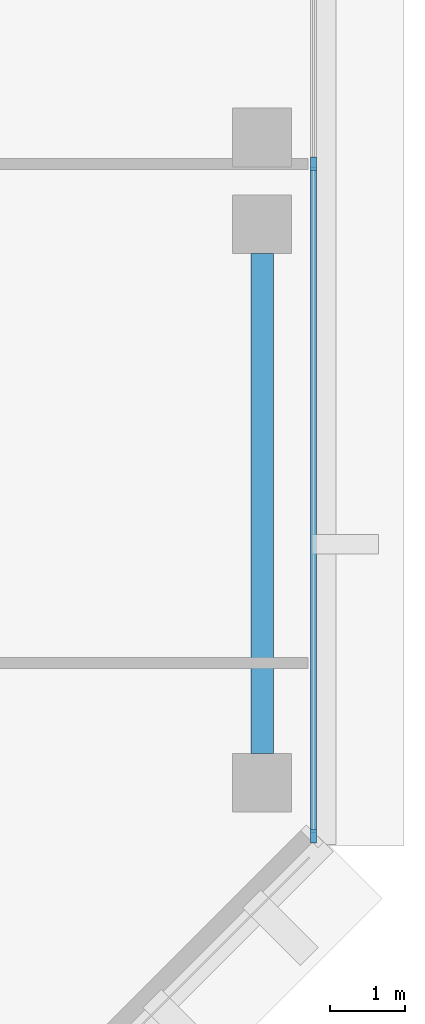
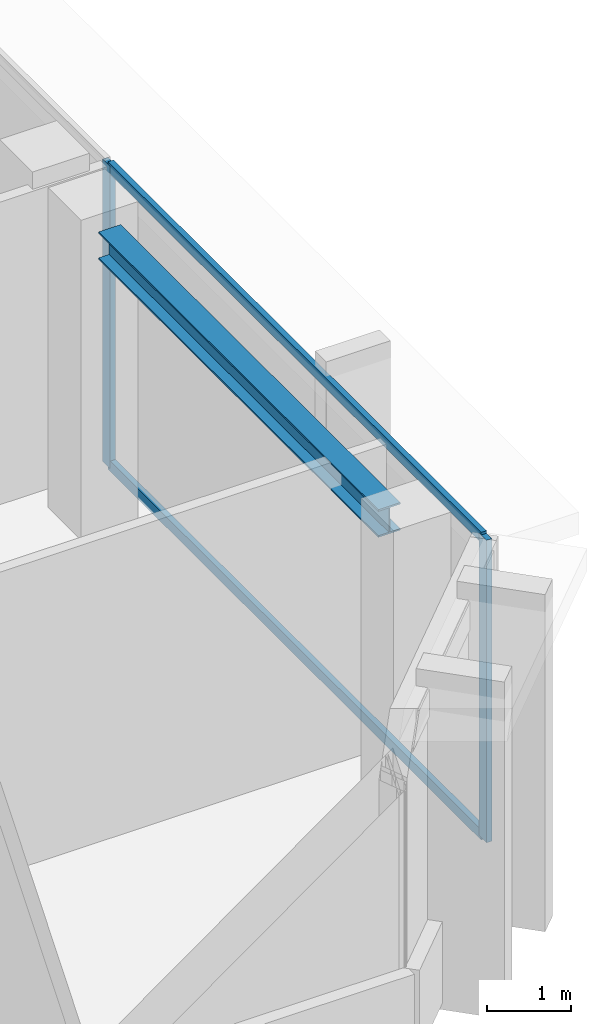
# One storey, part 3 of 12: 4 members, 1 beam, 1 element without a shape of its own.
"""IFC4 building model written with IfcOpenShell, lengths in metres."""

from ifc_helpers import new_model, si_unit, direction, frame, origin, origin_2d, place, context, subcontext, project, spatial, rectangle, i_section, extrude, material, layer, layer_set, material_profile, profile_set, type_object, element, aggregate, save


model = new_model("IFC4")

# Units and contexts
model_context = context("Model", 3, precision=1e-05, world=origin(), true_north=direction((0.0, 1.0)))
body_context = subcontext(model_context, "Body", "Model", "MODEL_VIEW")
ifc_project = project(units=[si_unit("LENGTHUNIT", "METRE"), si_unit("AREAUNIT", "SQUARE_METRE"), si_unit("VOLUMEUNIT", "CUBIC_METRE"), si_unit("PLANEANGLEUNIT", "RADIAN"), si_unit("MASSUNIT", "GRAM", prefix="KILO")], contexts=[model_context])

# Site, building, storey
site_placement = place(None, origin())
site = spatial("IfcSite", under=ifc_project, at=site_placement, CompositionType="ELEMENT")
building_placement = place(site_placement, origin())
building = spatial("IfcBuilding", under=site, at=building_placement, Name="Kefirva Bronze Tower", CompositionType="ELEMENT")
storey_placement = place(building_placement, frame((0.0, 0.0, 215.159912109375)))
storey = spatial("IfcBuildingStorey", under=building, at=storey_placement, Name="L52", CompositionType="ELEMENT", Elevation=215.159912109375)

# Curtain wall, members
ifc_material_1 = material(Name="Bronze anodised aluminium", Category="aluminium")
ifc_layer = layer(ifc_material_1, 0.179931640625, Name="Bronze anodised aluminium")
ifc_layer_set = layer_set([ifc_layer], Name="Bronze anodised aluminium")
curtain_wall_type = type_object("IfcCurtainWallType", Name="Unitised Bronze Ribbon Curtain Wall Zone 3", PredefinedType="USERDEFINED", material=ifc_layer_set)
curtain_wall_placement = place(storey_placement, origin())
curtain_wall = element("IfcCurtainWall", 1, at=curtain_wall_placement, inside=storey, type_object=curtain_wall_type, Name="L52 Curtain Wall 2", ObjectType="UNITISED CURTAIN WALL", PredefinedType="USERDEFINED")
ifc_material_profile_1 = material_profile(ifc_material_1, rectangle(XDim=0.074951171875, YDim=0.179931640625, at=origin_2d()), Name="ALU 75x180")
ifc_profile_set_1 = profile_set([ifc_material_profile_1], Name="Bronze anodised aluminium")
member_type_1 = type_object("IfcMemberType", Name="Bronze Mullion 75x180", PredefinedType="MULLION", material=ifc_profile_set_1)
member_1_placement = place(storey_placement, frame((50.080078125, 25.092529296875, 0.0), z_axis=(0.0, 0.0, 1.0), x_axis=(-1.0, 0.0, 0.0)))
member_1 = element("IfcMember", 2, at=member_1_placement, type_object=member_type_1, Name="CW-03 mullion 1", PredefinedType="MULLION", context=body_context, shape_type="SweptSolid", body=[
    extrude(rectangle(XDim=0.074951171875, YDim=0.179931640625, at=origin_2d()), origin(), (0.0, 0.0, 1.0), 4.3701171875),
])
member_2_placement = place(storey_placement, frame((50.080078125, 34.0, 0.0), z_axis=(0.0, 0.0, 1.0), x_axis=(-1.0, 0.0, 0.0)))
member_2 = element("IfcMember", 3, at=member_2_placement, type_object=member_type_1, Name="CW-03 mullion 2", PredefinedType="MULLION", context=body_context, shape_type="SweptSolid", body=[
    extrude(rectangle(XDim=0.074951171875, YDim=0.179931640625, at=origin_2d()), origin(), (0.0, 0.0, 1.0), 4.3701171875),
])
ifc_material_profile_2 = material_profile(ifc_material_1, rectangle(XDim=0.074951171875, YDim=0.14990234375, at=origin_2d()), Name="ALU 75x150")
ifc_profile_set_2 = profile_set([ifc_material_profile_2], Name="Bronze anodised aluminium")
member_type_2 = type_object("IfcMemberType", Name="Bronze Transom 75x150", PredefinedType="USERDEFINED", material=ifc_profile_set_2)
member_3_placement = place(storey_placement, frame((50.080078125, 25.1298828125, 0.03759765625), z_axis=(0.0, 1.0, 0.0), x_axis=(-1.0, 0.0, 0.0)))
member_3 = element("IfcMember", 4, at=member_3_placement, type_object=member_type_2, Name="CW-03 transom 1.1", ObjectType="TRANSOM", PredefinedType="USERDEFINED", context=body_context, shape_type="SweptSolid", body=[
    extrude(rectangle(XDim=0.074951171875, YDim=0.14990234375, at=origin_2d()), origin(), (0.0, 0.0, 1.0), 8.83251953125),
])
member_4_placement = place(storey_placement, frame((50.080078125, 25.1298828125, 4.33251953125), z_axis=(0.0, 1.0, 0.0), x_axis=(-1.0, 0.0, 0.0)))
member_4 = element("IfcMember", 5, at=member_4_placement, type_object=member_type_2, Name="CW-03 transom 1.2", ObjectType="TRANSOM", PredefinedType="USERDEFINED", context=body_context, shape_type="SweptSolid", body=[
    extrude(rectangle(XDim=0.074951171875, YDim=0.14990234375, at=origin_2d()), origin(), (0.0, 0.0, 1.0), 8.83251953125),
])
aggregate(curtain_wall, [member_1, member_2, member_3, member_4])

# Beam
ifc_material_2 = material(Name="Steel S355", Category="steel")
ifc_material_profile_3 = material_profile(ifc_material_2, i_section(OverallWidth=0.300048828125, OverallDepth=0.39990234375, WebThickness=0.013427734375, FlangeThickness=0.02392578125, at=origin_2d()), Name="HEB 400")
ifc_profile_set_3 = profile_set([ifc_material_profile_3], Name="Steel S355")
beam_type = type_object("IfcBeamType", Name="Steel Spandrel HEB 400 Ext", PredefinedType="SPANDREL", material=ifc_profile_set_3)
beam_placement = place(storey_placement, frame((49.39990234375, 26.18994140625, 4.170166015625), z_axis=(0.0, 1.0, 0.0), x_axis=(-1.0, 0.0, 0.0)))
element("IfcBeam", 6, at=beam_placement, inside=storey, type_object=beam_type, Name="L52 BM-L52-NS-494-25", PredefinedType="SPANDREL", context=body_context, shape_type="SweptSolid", body=[
    extrude(i_section(OverallWidth=0.300048828125, OverallDepth=0.39990234375, WebThickness=0.013427734375, FlangeThickness=0.02392578125, at=origin_2d()), origin(), (0.0, 0.0, 1.0), 6.6201171875),
])

save(model, "model.ifc")
